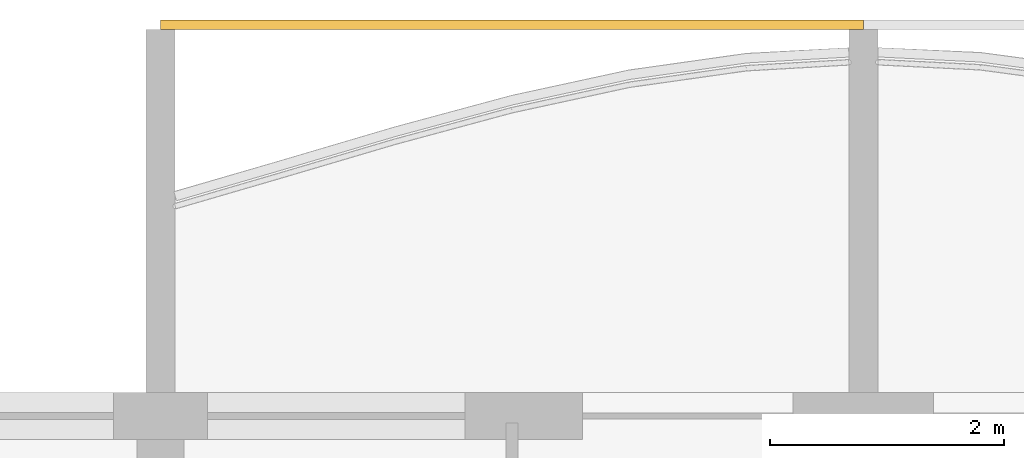
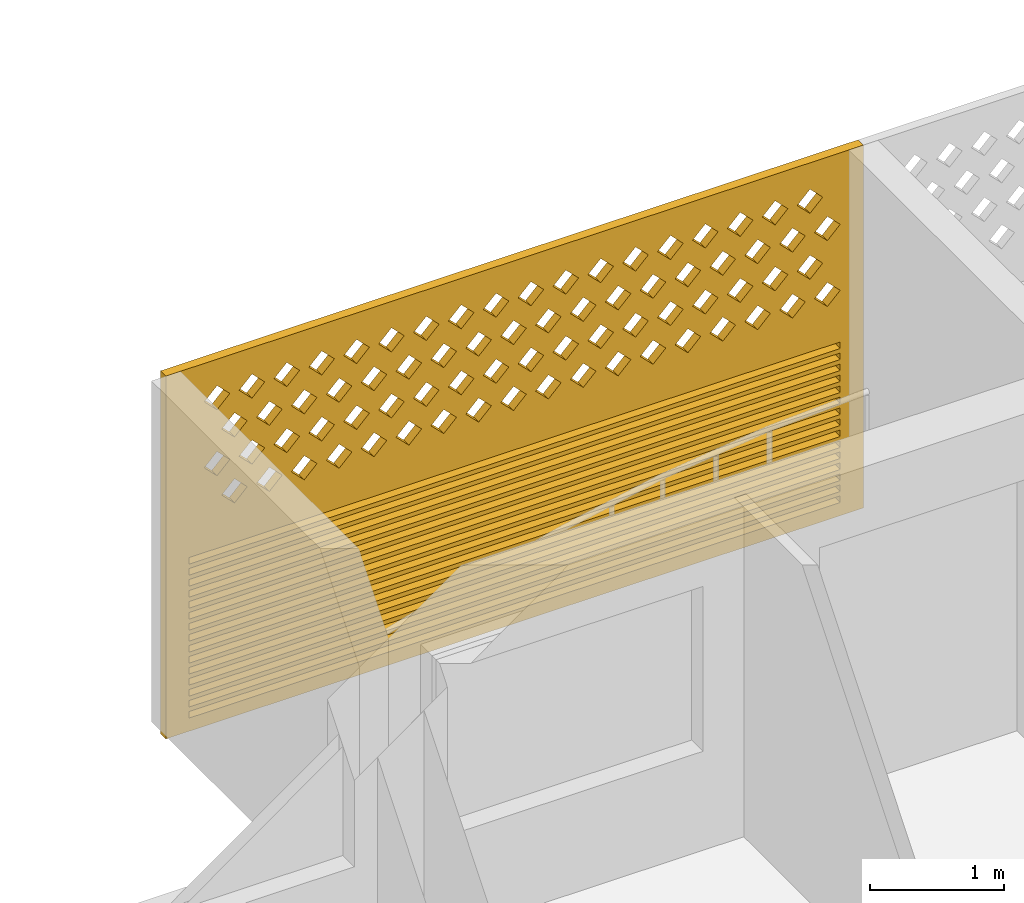
# One storey, part 32 of 38: 1 covering.
"""IFC4 building model written with IfcOpenShell, lengths in metres."""

import ifcopenshell
import ifcopenshell.guid

model = None  # the IFC model being written
_history = None  # IfcOwnerHistory: only IFC2X3 demands one
_inside = {}  # id of a spatial element -> (the spatial element, [elements in it])
_under = {}  # id of a project, library or spatial element -> (it, [spatial elements below it])
_declared = {}  # id of a project -> (the project, [libraries it declares])
_typed = {}  # id of a type object -> (the type object, [elements of that type])
_made_of = {}  # id of a material, layer set ... -> (it, [elements and type objects made of it])


def new_model(schema):
    """Start an empty IFC model of exactly this schema.

    Asked for "IFC4X3", IfcOpenShell would pick the latest addendum, in which some entities
    have other attributes; the version numbers below select the first issue.
    IFC2X3 requires an IfcOwnerHistory on every rooted entity: one is made here for all.
    """
    global model, _history
    if schema == "IFC4X3":
        model = ifcopenshell.file(schema_version=(4, 3, 0, 0))
    else:
        model = ifcopenshell.file(schema=schema)
    _inside.clear()
    _under.clear()
    _declared.clear()
    _typed.clear()
    _made_of.clear()
    _history = None
    if model.schema == "IFC2X3":
        org = make("IfcOrganization", Name="unknown")
        user = make(
            "IfcPersonAndOrganization",
            ThePerson=make("IfcPerson", FamilyName="unknown"),
            TheOrganization=org,
        )
        app = make(
            "IfcApplication",
            ApplicationDeveloper=org,
            Version="unknown",
            ApplicationFullName="unknown",
            ApplicationIdentifier="unknown",
        )
        _history = make(
            "IfcOwnerHistory",
            OwningUser=user,
            OwningApplication=app,
            ChangeAction="ADDED",
            CreationDate=0,
        )
    return model


def make(cls, **values):
    """One entity of the class cls with the attributes given. An attribute that is None is left unset."""
    return model.create_entity(
        cls, **{name: value for name, value in values.items() if value is not None}
    )


def rooted(cls, **values):
    """An entity with a GlobalId (a new one), such as an element, a storey or a relation."""
    return make(cls, GlobalId=ifcopenshell.guid.new(), OwnerHistory=_history, **values)


def si_unit(unit_type, name, prefix=None):
    """IfcSIUnit, for example si_unit("LENGTHUNIT", "METRE", prefix="MILLI")."""
    return make("IfcSIUnit", UnitType=unit_type, Prefix=prefix, Name=name)


def assignment(units):
    """IfcUnitAssignment: the units of a project."""
    return None if units is None else make("IfcUnitAssignment", Units=units)


def point(xyz):
    """IfcCartesianPoint."""
    return None if xyz is None else make("IfcCartesianPoint", Coordinates=xyz)


def direction(xyz):
    """IfcDirection."""
    return None if xyz is None else make("IfcDirection", DirectionRatios=xyz)


def frame(location, z_axis=None, x_axis=None):
    """IfcAxis2Placement3D, a coordinate frame: its origin and axes. An axis left out is left unset."""
    return make(
        "IfcAxis2Placement3D",
        Location=point(location),
        Axis=direction(z_axis),
        RefDirection=direction(x_axis),
    )


def origin():
    """The frame at (0, 0, 0) with its axes left unset."""
    return frame((0.0, 0.0, 0.0))


def place(relative_to, where):
    """IfcLocalPlacement: puts the frame where relative to a parent placement (None: the world)."""
    return make(
        "IfcLocalPlacement", PlacementRelTo=relative_to, RelativePlacement=where
    )


def context(
    kind, dimensions, precision=None, world=None, true_north=None, identifier=None
):
    """IfcGeometricRepresentationContext, for example the 3D "Model" context."""
    return make(
        "IfcGeometricRepresentationContext",
        ContextIdentifier=identifier,
        ContextType=kind,
        CoordinateSpaceDimension=dimensions,
        Precision=precision,
        WorldCoordinateSystem=world,
        TrueNorth=true_north,
    )


def subcontext(parent, identifier, kind, view, scale=None):
    """IfcGeometricRepresentationSubContext, for example "Body" below "Model"."""
    return make(
        "IfcGeometricRepresentationSubContext",
        ContextIdentifier=identifier,
        ContextType=kind,
        ParentContext=parent,
        TargetScale=scale,
        TargetView=view,
    )


def project(units=None, contexts=None):
    """IfcProject with its units and contexts."""
    return rooted(
        "IfcProject",
        Name="project",
        RepresentationContexts=contexts,
        UnitsInContext=assignment(units),
    )


def spatial(cls, under=None, at=None, **own):
    """A site, building, storey or space (cls), placed at a placement, below another one or the project."""
    s = rooted(cls, ObjectPlacement=at, **own)
    if under is not None:
        _under.setdefault(under.id(), (under, []))[1].append(s)
    return s


def polyline(points):
    """IfcPolyline through the points."""
    return make("IfcPolyline", Points=[point(p) for p in points])


def outline(outer, holes=None, kind="AREA"):
    """IfcArbitraryClosedProfileDef: a profile drawn as a closed curve; with holes, ...WithVoids."""
    if holes is None:
        return make("IfcArbitraryClosedProfileDef", ProfileType=kind, OuterCurve=outer)
    return make(
        "IfcArbitraryProfileDefWithVoids",
        ProfileType=kind,
        OuterCurve=outer,
        InnerCurves=holes,
    )


def extrude(swept, where, along, depth):
    """IfcExtrudedAreaSolid: the profile swept, set in the frame where, extruded along a direction by depth."""
    return make(
        "IfcExtrudedAreaSolid",
        SweptArea=swept,
        Position=where,
        ExtrudedDirection=direction(along),
        Depth=depth,
    )


def shape(context_of_items, identifier, shape_type, items):
    """IfcShapeRepresentation: the items that make up one representation, for example the "Body"."""
    return make(
        "IfcShapeRepresentation",
        ContextOfItems=context_of_items,
        RepresentationIdentifier=identifier,
        RepresentationType=shape_type,
        Items=items,
    )


def source(mapping_origin, context_of_items, identifier, shape_type, items):
    """IfcRepresentationMap: a shape defined once, which mapped items show again and again."""
    return make(
        "IfcRepresentationMap",
        MappingOrigin=mapping_origin,
        MappedRepresentation=shape(context_of_items, identifier, shape_type, items),
    )


def transform(
    local_origin,
    x_axis=None,
    y_axis=None,
    z_axis=None,
    scale=None,
    scale2=None,
    scale3=None,
    uniform=True,
):
    """IfcCartesianTransformationOperator3D, or its non-uniform kind. x_axis, y_axis, z_axis: its Axis1, 2, 3."""
    if uniform:
        return make(
            "IfcCartesianTransformationOperator3D",
            Axis1=direction(x_axis),
            Axis2=direction(y_axis),
            LocalOrigin=point(local_origin),
            Scale=scale,
            Axis3=direction(z_axis),
        )
    return make(
        "IfcCartesianTransformationOperator3DnonUniform",
        Axis1=direction(x_axis),
        Axis2=direction(y_axis),
        LocalOrigin=point(local_origin),
        Scale=scale,
        Axis3=direction(z_axis),
        Scale2=scale2,
        Scale3=scale3,
    )


def mapped(mapping_source, mapping_target):
    """IfcMappedItem: shows the shape of a source again, moved by a transform."""
    return make(
        "IfcMappedItem", MappingSource=mapping_source, MappingTarget=mapping_target
    )


def material(Name=None, Category=None):
    """IfcMaterial."""
    return make("IfcMaterial", Name=Name, Category=Category)


def material_profile(
    of_material, cross_section, Name=None, Category=None, Priority=None
):
    """IfcMaterialProfile: a cross section and its material."""
    return make(
        "IfcMaterialProfile",
        Name=Name,
        Material=of_material,
        Profile=cross_section,
        Priority=Priority,
        Category=Category,
    )


def profile_set(profiles, Name=None, composite=None):
    """IfcMaterialProfileSet."""
    return make(
        "IfcMaterialProfileSet",
        Name=Name,
        MaterialProfiles=profiles,
        CompositeProfile=composite,
    )


def made_of(thing, what):
    """Note that an element or type object is made of a material, layer set ...; save() writes the relation."""
    if what is not None:
        _made_of.setdefault(what.id(), (what, []))[1].append(thing)
    return thing


def type_object(cls, material=None, **own):
    """A type object (cls), such as IfcWallType, which elements share."""
    return made_of(rooted(cls, **own), material)


def element(
    cls,
    number,
    at=None,
    inside=None,
    cuts=None,
    type_object=None,
    material=None,
    context=None,
    identifier="Body",
    shape_type=None,
    held_by="IfcProductDefinitionShape",
    body=None,
    shapes=None,
    **own,
):
    """One element of the class cls, such as IfcWall. Its Tag is "e" and its number.

    at: its placement. inside: the storey or other place that contains it. cuts: it is an
    opening in that element (IfcRelVoidsElement). A single representation is given by context,
    identifier, shape_type and body (its items); several are given by shapes. held_by: the class
    of the entity that holds the representations. save() writes the other relations.
    """
    e = rooted(cls, Tag="e%d" % number, ObjectPlacement=at, **own)
    if body is not None:
        shapes = [shape(context, identifier, shape_type, body)]
    if shapes is not None:
        e.Representation = make(held_by, Representations=shapes)
    if inside is not None:
        _inside.setdefault(inside.id(), (inside, []))[1].append(e)
    if cuts is not None:
        rooted(
            "IfcRelVoidsElement", RelatingBuildingElement=cuts, RelatedOpeningElement=e
        )
    if type_object is not None:
        _typed.setdefault(type_object.id(), (type_object, []))[1].append(e)
    return made_of(e, material)


def aggregate(whole, parts):
    """IfcRelAggregates: a whole, such as a stair, and the parts it consists of."""
    return rooted("IfcRelAggregates", RelatingObject=whole, RelatedObjects=parts)


def save(model, path):
    """Write the relations noted so far, then the file.

    IfcRelAggregates (storeys below a building ...), IfcRelContainedInSpatialStructure (elements
    in a storey), IfcRelDefinesByType, IfcRelAssociatesMaterial and IfcRelDeclares: one each for
    every whole, place, type object, material and project.
    """
    for whole, parts in _under.values():
        aggregate(whole, parts)
    for where, things in _inside.values():
        rooted(
            "IfcRelContainedInSpatialStructure",
            RelatedElements=things,
            RelatingStructure=where,
        )
    for kind, things in _typed.values():
        rooted("IfcRelDefinesByType", RelatedObjects=things, RelatingType=kind)
    for what, things in _made_of.values():
        rooted("IfcRelAssociatesMaterial", RelatedObjects=things, RelatingMaterial=what)
    for by, libraries in _declared.values():
        rooted("IfcRelDeclares", RelatingContext=by, RelatedDefinitions=libraries)
    model.write(path)


model = new_model("IFC4")

# Units and contexts
model_context = context("Model", 3, precision=1e-05, world=origin(), true_north=direction((0.0, 1.0)))
body_context = subcontext(model_context, "Body", "Model", "MODEL_VIEW")
ifc_project = project(units=[si_unit("LENGTHUNIT", "METRE"), si_unit("AREAUNIT", "SQUARE_METRE"), si_unit("VOLUMEUNIT", "CUBIC_METRE"), si_unit("PLANEANGLEUNIT", "RADIAN"), si_unit("MASSUNIT", "GRAM", prefix="KILO")], contexts=[model_context])

# Site, building, storey
site_placement = place(None, origin())
site = spatial("IfcSite", under=ifc_project, at=site_placement, CompositionType="ELEMENT")
building_placement = place(site_placement, origin())
building = spatial("IfcBuilding", under=site, at=building_placement, Name="Poui Terraces", CompositionType="ELEMENT")
storey_placement = place(building_placement, frame((0.0, 0.0, 49.800048828125)))
storey = spatial("IfcBuildingStorey", under=building, at=storey_placement, Name="L13", CompositionType="ELEMENT", Elevation=49.800048828125)

# Covering
ifc_material = material(Name="Terracotta screen", Category="masonry")
ifc_material_profile = material_profile(ifc_material, outline(polyline([(-3.0, -1.64990234375), (3.0, -1.64990234375), (3.0, 1.64990234375), (-3.0, 1.64990234375), (-3.0, -1.64990234375)]), holes=[polyline([(-2.800048828125, 0.39990234375), (-2.68994140625, 0.2900390625), (-2.580078125, 0.39990234375), (-2.68994140625, 0.510009765625), (-2.800048828125, 0.39990234375)]), polyline([(-2.5, 0.39990234375), (-2.389892578125, 0.2900390625), (-2.280029296875, 0.39990234375), (-2.389892578125, 0.510009765625), (-2.5, 0.39990234375)]), polyline([(-2.199951171875, 0.39990234375), (-2.090087890625, 0.2900390625), (-1.97998046875, 0.39990234375), (-2.090087890625, 0.510009765625), (-2.199951171875, 0.39990234375)]), polyline([(-1.89990234375, 0.39990234375), (-1.7900390625, 0.2900390625), (-1.679931640625, 0.39990234375), (-1.7900390625, 0.510009765625), (-1.89990234375, 0.39990234375)]), polyline([(-1.60009765625, 0.39990234375), (-1.489990234375, 0.2900390625), (-1.3798828125, 0.39990234375), (-1.489990234375, 0.510009765625), (-1.60009765625, 0.39990234375)]), polyline([(-1.300048828125, 0.39990234375), (-1.18994140625, 0.2900390625), (-1.080078125, 0.39990234375), (-1.18994140625, 0.510009765625), (-1.300048828125, 0.39990234375)]), polyline([(-1.0, 0.39990234375), (-0.889892578125, 0.2900390625), (-0.780029296875, 0.39990234375), (-0.889892578125, 0.510009765625), (-1.0, 0.39990234375)]), polyline([(-0.699951171875, 0.39990234375), (-0.590087890625, 0.2900390625), (-0.47998046875, 0.39990234375), (-0.590087890625, 0.510009765625), (-0.699951171875, 0.39990234375)]), polyline([(-0.39990234375, 0.39990234375), (-0.2900390625, 0.2900390625), (-0.179931640625, 0.39990234375), (-0.2900390625, 0.510009765625), (-0.39990234375, 0.39990234375)]), polyline([(-0.10009765625, 0.39990234375), (0.010009765625, 0.2900390625), (0.1201171875, 0.39990234375), (0.010009765625, 0.510009765625), (-0.10009765625, 0.39990234375)]), polyline([(0.199951171875, 0.39990234375), (0.31005859375, 0.2900390625), (0.419921875, 0.39990234375), (0.31005859375, 0.510009765625), (0.199951171875, 0.39990234375)]), polyline([(0.5, 0.39990234375), (0.610107421875, 0.2900390625), (0.719970703125, 0.39990234375), (0.610107421875, 0.510009765625), (0.5, 0.39990234375)]), polyline([(0.800048828125, 0.39990234375), (0.909912109375, 0.2900390625), (1.02001953125, 0.39990234375), (0.909912109375, 0.510009765625), (0.800048828125, 0.39990234375)]), polyline([(1.10009765625, 0.39990234375), (1.2099609375, 0.2900390625), (1.320068359375, 0.39990234375), (1.2099609375, 0.510009765625), (1.10009765625, 0.39990234375)]), polyline([(1.39990234375, 0.39990234375), (1.510009765625, 0.2900390625), (1.6201171875, 0.39990234375), (1.510009765625, 0.510009765625), (1.39990234375, 0.39990234375)]), polyline([(1.699951171875, 0.39990234375), (1.81005859375, 0.2900390625), (1.919921875, 0.39990234375), (1.81005859375, 0.510009765625), (1.699951171875, 0.39990234375)]), polyline([(2.0, 0.39990234375), (2.110107421875, 0.2900390625), (2.219970703125, 0.39990234375), (2.110107421875, 0.510009765625), (2.0, 0.39990234375)]), polyline([(2.300048828125, 0.39990234375), (2.409912109375, 0.2900390625), (2.52001953125, 0.39990234375), (2.409912109375, 0.510009765625), (2.300048828125, 0.39990234375)]), polyline([(-2.64990234375, 0.699951171875), (-2.5400390625, 0.590087890625), (-2.429931640625, 0.699951171875), (-2.5400390625, 0.81005859375), (-2.64990234375, 0.699951171875)]), polyline([(-2.35009765625, 0.699951171875), (-2.239990234375, 0.590087890625), (-2.1298828125, 0.699951171875), (-2.239990234375, 0.81005859375), (-2.35009765625, 0.699951171875)]), polyline([(-2.050048828125, 0.699951171875), (-1.93994140625, 0.590087890625), (-1.830078125, 0.699951171875), (-1.93994140625, 0.81005859375), (-2.050048828125, 0.699951171875)]), polyline([(-1.75, 0.699951171875), (-1.639892578125, 0.590087890625), (-1.530029296875, 0.699951171875), (-1.639892578125, 0.81005859375), (-1.75, 0.699951171875)]), polyline([(-1.449951171875, 0.699951171875), (-1.340087890625, 0.590087890625), (-1.22998046875, 0.699951171875), (-1.340087890625, 0.81005859375), (-1.449951171875, 0.699951171875)]), polyline([(-1.14990234375, 0.699951171875), (-1.0400390625, 0.590087890625), (-0.929931640625, 0.699951171875), (-1.0400390625, 0.81005859375), (-1.14990234375, 0.699951171875)]), polyline([(-0.85009765625, 0.699951171875), (-0.739990234375, 0.590087890625), (-0.6298828125, 0.699951171875), (-0.739990234375, 0.81005859375), (-0.85009765625, 0.699951171875)]), polyline([(-0.550048828125, 0.699951171875), (-0.43994140625, 0.590087890625), (-0.330078125, 0.699951171875), (-0.43994140625, 0.81005859375), (-0.550048828125, 0.699951171875)]), polyline([(-0.25, 0.699951171875), (-0.139892578125, 0.590087890625), (-0.030029296875, 0.699951171875), (-0.139892578125, 0.81005859375), (-0.25, 0.699951171875)]), polyline([(0.050048828125, 0.699951171875), (0.159912109375, 0.590087890625), (0.27001953125, 0.699951171875), (0.159912109375, 0.81005859375), (0.050048828125, 0.699951171875)]), polyline([(0.35009765625, 0.699951171875), (0.4599609375, 0.590087890625), (0.570068359375, 0.699951171875), (0.4599609375, 0.81005859375), (0.35009765625, 0.699951171875)]), polyline([(0.64990234375, 0.699951171875), (0.760009765625, 0.590087890625), (0.8701171875, 0.699951171875), (0.760009765625, 0.81005859375), (0.64990234375, 0.699951171875)]), polyline([(0.949951171875, 0.699951171875), (1.06005859375, 0.590087890625), (1.169921875, 0.699951171875), (1.06005859375, 0.81005859375), (0.949951171875, 0.699951171875)]), polyline([(1.25, 0.699951171875), (1.360107421875, 0.590087890625), (1.469970703125, 0.699951171875), (1.360107421875, 0.81005859375), (1.25, 0.699951171875)]), polyline([(1.550048828125, 0.699951171875), (1.659912109375, 0.590087890625), (1.77001953125, 0.699951171875), (1.659912109375, 0.81005859375), (1.550048828125, 0.699951171875)]), polyline([(1.85009765625, 0.699951171875), (1.9599609375, 0.590087890625), (2.070068359375, 0.699951171875), (1.9599609375, 0.81005859375), (1.85009765625, 0.699951171875)]), polyline([(2.14990234375, 0.699951171875), (2.260009765625, 0.590087890625), (2.3701171875, 0.699951171875), (2.260009765625, 0.81005859375), (2.14990234375, 0.699951171875)]), polyline([(2.449951171875, 0.699951171875), (2.56005859375, 0.590087890625), (2.669921875, 0.699951171875), (2.56005859375, 0.81005859375), (2.449951171875, 0.699951171875)]), polyline([(-2.800048828125, 1.0), (-2.68994140625, 0.889892578125), (-2.580078125, 1.0), (-2.68994140625, 1.110107421875), (-2.800048828125, 1.0)]), polyline([(-2.5, 1.0), (-2.389892578125, 0.889892578125), (-2.280029296875, 1.0), (-2.389892578125, 1.110107421875), (-2.5, 1.0)]), polyline([(-2.199951171875, 1.0), (-2.090087890625, 0.889892578125), (-1.97998046875, 1.0), (-2.090087890625, 1.110107421875), (-2.199951171875, 1.0)]), polyline([(-1.89990234375, 1.0), (-1.7900390625, 0.889892578125), (-1.679931640625, 1.0), (-1.7900390625, 1.110107421875), (-1.89990234375, 1.0)]), polyline([(-1.60009765625, 1.0), (-1.489990234375, 0.889892578125), (-1.3798828125, 1.0), (-1.489990234375, 1.110107421875), (-1.60009765625, 1.0)]), polyline([(-1.300048828125, 1.0), (-1.18994140625, 0.889892578125), (-1.080078125, 1.0), (-1.18994140625, 1.110107421875), (-1.300048828125, 1.0)]), polyline([(-1.0, 1.0), (-0.889892578125, 0.889892578125), (-0.780029296875, 1.0), (-0.889892578125, 1.110107421875), (-1.0, 1.0)]), polyline([(-0.699951171875, 1.0), (-0.590087890625, 0.889892578125), (-0.47998046875, 1.0), (-0.590087890625, 1.110107421875), (-0.699951171875, 1.0)]), polyline([(-0.39990234375, 1.0), (-0.2900390625, 0.889892578125), (-0.179931640625, 1.0), (-0.2900390625, 1.110107421875), (-0.39990234375, 1.0)]), polyline([(-0.10009765625, 1.0), (0.010009765625, 0.889892578125), (0.1201171875, 1.0), (0.010009765625, 1.110107421875), (-0.10009765625, 1.0)]), polyline([(0.199951171875, 1.0), (0.31005859375, 0.889892578125), (0.419921875, 1.0), (0.31005859375, 1.110107421875), (0.199951171875, 1.0)]), polyline([(0.5, 1.0), (0.610107421875, 0.889892578125), (0.719970703125, 1.0), (0.610107421875, 1.110107421875), (0.5, 1.0)]), polyline([(0.800048828125, 1.0), (0.909912109375, 0.889892578125), (1.02001953125, 1.0), (0.909912109375, 1.110107421875), (0.800048828125, 1.0)]), polyline([(1.10009765625, 1.0), (1.2099609375, 0.889892578125), (1.320068359375, 1.0), (1.2099609375, 1.110107421875), (1.10009765625, 1.0)]), polyline([(1.39990234375, 1.0), (1.510009765625, 0.889892578125), (1.6201171875, 1.0), (1.510009765625, 1.110107421875), (1.39990234375, 1.0)]), polyline([(1.699951171875, 1.0), (1.81005859375, 0.889892578125), (1.919921875, 1.0), (1.81005859375, 1.110107421875), (1.699951171875, 1.0)]), polyline([(2.0, 1.0), (2.110107421875, 0.889892578125), (2.219970703125, 1.0), (2.110107421875, 1.110107421875), (2.0, 1.0)]), polyline([(2.300048828125, 1.0), (2.409912109375, 0.889892578125), (2.52001953125, 1.0), (2.409912109375, 1.110107421875), (2.300048828125, 1.0)]), polyline([(-2.64990234375, 1.300048828125), (-2.5400390625, 1.18994140625), (-2.429931640625, 1.300048828125), (-2.5400390625, 1.409912109375), (-2.64990234375, 1.300048828125)]), polyline([(-2.35009765625, 1.300048828125), (-2.239990234375, 1.18994140625), (-2.1298828125, 1.300048828125), (-2.239990234375, 1.409912109375), (-2.35009765625, 1.300048828125)]), polyline([(-2.050048828125, 1.300048828125), (-1.93994140625, 1.18994140625), (-1.830078125, 1.300048828125), (-1.93994140625, 1.409912109375), (-2.050048828125, 1.300048828125)]), polyline([(-1.75, 1.300048828125), (-1.639892578125, 1.18994140625), (-1.530029296875, 1.300048828125), (-1.639892578125, 1.409912109375), (-1.75, 1.300048828125)]), polyline([(-1.449951171875, 1.300048828125), (-1.340087890625, 1.18994140625), (-1.22998046875, 1.300048828125), (-1.340087890625, 1.409912109375), (-1.449951171875, 1.300048828125)]), polyline([(-1.14990234375, 1.300048828125), (-1.0400390625, 1.18994140625), (-0.929931640625, 1.300048828125), (-1.0400390625, 1.409912109375), (-1.14990234375, 1.300048828125)]), polyline([(-0.85009765625, 1.300048828125), (-0.739990234375, 1.18994140625), (-0.6298828125, 1.300048828125), (-0.739990234375, 1.409912109375), (-0.85009765625, 1.300048828125)]), polyline([(-0.550048828125, 1.300048828125), (-0.43994140625, 1.18994140625), (-0.330078125, 1.300048828125), (-0.43994140625, 1.409912109375), (-0.550048828125, 1.300048828125)]), polyline([(-0.25, 1.300048828125), (-0.139892578125, 1.18994140625), (-0.030029296875, 1.300048828125), (-0.139892578125, 1.409912109375), (-0.25, 1.300048828125)]), polyline([(0.050048828125, 1.300048828125), (0.159912109375, 1.18994140625), (0.27001953125, 1.300048828125), (0.159912109375, 1.409912109375), (0.050048828125, 1.300048828125)]), polyline([(0.35009765625, 1.300048828125), (0.4599609375, 1.18994140625), (0.570068359375, 1.300048828125), (0.4599609375, 1.409912109375), (0.35009765625, 1.300048828125)]), polyline([(0.64990234375, 1.300048828125), (0.760009765625, 1.18994140625), (0.8701171875, 1.300048828125), (0.760009765625, 1.409912109375), (0.64990234375, 1.300048828125)]), polyline([(0.949951171875, 1.300048828125), (1.06005859375, 1.18994140625), (1.169921875, 1.300048828125), (1.06005859375, 1.409912109375), (0.949951171875, 1.300048828125)]), polyline([(1.25, 1.300048828125), (1.360107421875, 1.18994140625), (1.469970703125, 1.300048828125), (1.360107421875, 1.409912109375), (1.25, 1.300048828125)]), polyline([(1.550048828125, 1.300048828125), (1.659912109375, 1.18994140625), (1.77001953125, 1.300048828125), (1.659912109375, 1.409912109375), (1.550048828125, 1.300048828125)]), polyline([(1.85009765625, 1.300048828125), (1.9599609375, 1.18994140625), (2.070068359375, 1.300048828125), (1.9599609375, 1.409912109375), (1.85009765625, 1.300048828125)]), polyline([(2.14990234375, 1.300048828125), (2.260009765625, 1.18994140625), (2.3701171875, 1.300048828125), (2.260009765625, 1.409912109375), (2.14990234375, 1.300048828125)]), polyline([(2.449951171875, 1.300048828125), (2.56005859375, 1.18994140625), (2.669921875, 1.300048828125), (2.56005859375, 1.409912109375), (2.449951171875, 1.300048828125)]), polyline([(-2.800048828125, -1.530029296875), (2.800048828125, -1.530029296875), (2.800048828125, -1.469970703125), (-2.800048828125, -1.469970703125), (-2.800048828125, -1.530029296875)]), polyline([(-2.800048828125, -1.429931640625), (2.800048828125, -1.429931640625), (2.800048828125, -1.3701171875), (-2.800048828125, -1.3701171875), (-2.800048828125, -1.429931640625)]), polyline([(-2.800048828125, -1.330078125), (2.800048828125, -1.330078125), (2.800048828125, -1.27001953125), (-2.800048828125, -1.27001953125), (-2.800048828125, -1.330078125)]), polyline([(-2.800048828125, -1.22998046875), (2.800048828125, -1.22998046875), (2.800048828125, -1.169921875), (-2.800048828125, -1.169921875), (-2.800048828125, -1.22998046875)]), polyline([(-2.800048828125, -1.1298828125), (2.800048828125, -1.1298828125), (2.800048828125, -1.070068359375), (-2.800048828125, -1.070068359375), (-2.800048828125, -1.1298828125)]), polyline([(-2.800048828125, -1.030029296875), (2.800048828125, -1.030029296875), (2.800048828125, -0.969970703125), (-2.800048828125, -0.969970703125), (-2.800048828125, -1.030029296875)]), polyline([(-2.800048828125, -0.929931640625), (2.800048828125, -0.929931640625), (2.800048828125, -0.8701171875), (-2.800048828125, -0.8701171875), (-2.800048828125, -0.929931640625)]), polyline([(-2.800048828125, -0.830078125), (2.800048828125, -0.830078125), (2.800048828125, -0.77001953125), (-2.800048828125, -0.77001953125), (-2.800048828125, -0.830078125)]), polyline([(-2.800048828125, -0.72998046875), (2.800048828125, -0.72998046875), (2.800048828125, -0.669921875), (-2.800048828125, -0.669921875), (-2.800048828125, -0.72998046875)]), polyline([(-2.800048828125, -0.6298828125), (2.800048828125, -0.6298828125), (2.800048828125, -0.570068359375), (-2.800048828125, -0.570068359375), (-2.800048828125, -0.6298828125)]), polyline([(-2.800048828125, -0.530029296875), (2.800048828125, -0.530029296875), (2.800048828125, -0.469970703125), (-2.800048828125, -0.469970703125), (-2.800048828125, -0.530029296875)]), polyline([(-2.800048828125, -0.429931640625), (2.800048828125, -0.429931640625), (2.800048828125, -0.3701171875), (-2.800048828125, -0.3701171875), (-2.800048828125, -0.429931640625)]), polyline([(-2.800048828125, -0.330078125), (2.800048828125, -0.330078125), (2.800048828125, -0.27001953125), (-2.800048828125, -0.27001953125), (-2.800048828125, -0.330078125)]), polyline([(-2.800048828125, -0.22998046875), (2.800048828125, -0.22998046875), (2.800048828125, -0.169921875), (-2.800048828125, -0.169921875), (-2.800048828125, -0.22998046875)]), polyline([(-2.800048828125, -0.1298828125), (2.800048828125, -0.1298828125), (2.800048828125, -0.070068359375), (-2.800048828125, -0.070068359375), (-2.800048828125, -0.1298828125)])]), Name="TERRACOTTA SCREEN AND JALOUSIE LOUVRE 6000X3300")
ifc_profile_set = profile_set([ifc_material_profile], Name="Terracotta screen")
covering_type = type_object("IfcCoveringType", Name="TERRACOTTA SCREEN AND JALOUSIE LOUVRE 6000X3300", PredefinedType="CLADDING", material=ifc_profile_set)
shared_shape = source(origin(), body_context, "Body", "SweptSolid", [
    extrude(outline(polyline([(-3.0, -1.64990234375), (3.0, -1.64990234375), (3.0, 1.64990234375), (-3.0, 1.64990234375), (-3.0, -1.64990234375)]), holes=[polyline([(-2.800048828125, 0.39990234375), (-2.68994140625, 0.2900390625), (-2.580078125, 0.39990234375), (-2.68994140625, 0.510009765625), (-2.800048828125, 0.39990234375)]), polyline([(-2.5, 0.39990234375), (-2.389892578125, 0.2900390625), (-2.280029296875, 0.39990234375), (-2.389892578125, 0.510009765625), (-2.5, 0.39990234375)]), polyline([(-2.199951171875, 0.39990234375), (-2.090087890625, 0.2900390625), (-1.97998046875, 0.39990234375), (-2.090087890625, 0.510009765625), (-2.199951171875, 0.39990234375)]), polyline([(-1.89990234375, 0.39990234375), (-1.7900390625, 0.2900390625), (-1.679931640625, 0.39990234375), (-1.7900390625, 0.510009765625), (-1.89990234375, 0.39990234375)]), polyline([(-1.60009765625, 0.39990234375), (-1.489990234375, 0.2900390625), (-1.3798828125, 0.39990234375), (-1.489990234375, 0.510009765625), (-1.60009765625, 0.39990234375)]), polyline([(-1.300048828125, 0.39990234375), (-1.18994140625, 0.2900390625), (-1.080078125, 0.39990234375), (-1.18994140625, 0.510009765625), (-1.300048828125, 0.39990234375)]), polyline([(-1.0, 0.39990234375), (-0.889892578125, 0.2900390625), (-0.780029296875, 0.39990234375), (-0.889892578125, 0.510009765625), (-1.0, 0.39990234375)]), polyline([(-0.699951171875, 0.39990234375), (-0.590087890625, 0.2900390625), (-0.47998046875, 0.39990234375), (-0.590087890625, 0.510009765625), (-0.699951171875, 0.39990234375)]), polyline([(-0.39990234375, 0.39990234375), (-0.2900390625, 0.2900390625), (-0.179931640625, 0.39990234375), (-0.2900390625, 0.510009765625), (-0.39990234375, 0.39990234375)]), polyline([(-0.10009765625, 0.39990234375), (0.010009765625, 0.2900390625), (0.1201171875, 0.39990234375), (0.010009765625, 0.510009765625), (-0.10009765625, 0.39990234375)]), polyline([(0.199951171875, 0.39990234375), (0.31005859375, 0.2900390625), (0.419921875, 0.39990234375), (0.31005859375, 0.510009765625), (0.199951171875, 0.39990234375)]), polyline([(0.5, 0.39990234375), (0.610107421875, 0.2900390625), (0.719970703125, 0.39990234375), (0.610107421875, 0.510009765625), (0.5, 0.39990234375)]), polyline([(0.800048828125, 0.39990234375), (0.909912109375, 0.2900390625), (1.02001953125, 0.39990234375), (0.909912109375, 0.510009765625), (0.800048828125, 0.39990234375)]), polyline([(1.10009765625, 0.39990234375), (1.2099609375, 0.2900390625), (1.320068359375, 0.39990234375), (1.2099609375, 0.510009765625), (1.10009765625, 0.39990234375)]), polyline([(1.39990234375, 0.39990234375), (1.510009765625, 0.2900390625), (1.6201171875, 0.39990234375), (1.510009765625, 0.510009765625), (1.39990234375, 0.39990234375)]), polyline([(1.699951171875, 0.39990234375), (1.81005859375, 0.2900390625), (1.919921875, 0.39990234375), (1.81005859375, 0.510009765625), (1.699951171875, 0.39990234375)]), polyline([(2.0, 0.39990234375), (2.110107421875, 0.2900390625), (2.219970703125, 0.39990234375), (2.110107421875, 0.510009765625), (2.0, 0.39990234375)]), polyline([(2.300048828125, 0.39990234375), (2.409912109375, 0.2900390625), (2.52001953125, 0.39990234375), (2.409912109375, 0.510009765625), (2.300048828125, 0.39990234375)]), polyline([(-2.64990234375, 0.699951171875), (-2.5400390625, 0.590087890625), (-2.429931640625, 0.699951171875), (-2.5400390625, 0.81005859375), (-2.64990234375, 0.699951171875)]), polyline([(-2.35009765625, 0.699951171875), (-2.239990234375, 0.590087890625), (-2.1298828125, 0.699951171875), (-2.239990234375, 0.81005859375), (-2.35009765625, 0.699951171875)]), polyline([(-2.050048828125, 0.699951171875), (-1.93994140625, 0.590087890625), (-1.830078125, 0.699951171875), (-1.93994140625, 0.81005859375), (-2.050048828125, 0.699951171875)]), polyline([(-1.75, 0.699951171875), (-1.639892578125, 0.590087890625), (-1.530029296875, 0.699951171875), (-1.639892578125, 0.81005859375), (-1.75, 0.699951171875)]), polyline([(-1.449951171875, 0.699951171875), (-1.340087890625, 0.590087890625), (-1.22998046875, 0.699951171875), (-1.340087890625, 0.81005859375), (-1.449951171875, 0.699951171875)]), polyline([(-1.14990234375, 0.699951171875), (-1.0400390625, 0.590087890625), (-0.929931640625, 0.699951171875), (-1.0400390625, 0.81005859375), (-1.14990234375, 0.699951171875)]), polyline([(-0.85009765625, 0.699951171875), (-0.739990234375, 0.590087890625), (-0.6298828125, 0.699951171875), (-0.739990234375, 0.81005859375), (-0.85009765625, 0.699951171875)]), polyline([(-0.550048828125, 0.699951171875), (-0.43994140625, 0.590087890625), (-0.330078125, 0.699951171875), (-0.43994140625, 0.81005859375), (-0.550048828125, 0.699951171875)]), polyline([(-0.25, 0.699951171875), (-0.139892578125, 0.590087890625), (-0.030029296875, 0.699951171875), (-0.139892578125, 0.81005859375), (-0.25, 0.699951171875)]), polyline([(0.050048828125, 0.699951171875), (0.159912109375, 0.590087890625), (0.27001953125, 0.699951171875), (0.159912109375, 0.81005859375), (0.050048828125, 0.699951171875)]), polyline([(0.35009765625, 0.699951171875), (0.4599609375, 0.590087890625), (0.570068359375, 0.699951171875), (0.4599609375, 0.81005859375), (0.35009765625, 0.699951171875)]), polyline([(0.64990234375, 0.699951171875), (0.760009765625, 0.590087890625), (0.8701171875, 0.699951171875), (0.760009765625, 0.81005859375), (0.64990234375, 0.699951171875)]), polyline([(0.949951171875, 0.699951171875), (1.06005859375, 0.590087890625), (1.169921875, 0.699951171875), (1.06005859375, 0.81005859375), (0.949951171875, 0.699951171875)]), polyline([(1.25, 0.699951171875), (1.360107421875, 0.590087890625), (1.469970703125, 0.699951171875), (1.360107421875, 0.81005859375), (1.25, 0.699951171875)]), polyline([(1.550048828125, 0.699951171875), (1.659912109375, 0.590087890625), (1.77001953125, 0.699951171875), (1.659912109375, 0.81005859375), (1.550048828125, 0.699951171875)]), polyline([(1.85009765625, 0.699951171875), (1.9599609375, 0.590087890625), (2.070068359375, 0.699951171875), (1.9599609375, 0.81005859375), (1.85009765625, 0.699951171875)]), polyline([(2.14990234375, 0.699951171875), (2.260009765625, 0.590087890625), (2.3701171875, 0.699951171875), (2.260009765625, 0.81005859375), (2.14990234375, 0.699951171875)]), polyline([(2.449951171875, 0.699951171875), (2.56005859375, 0.590087890625), (2.669921875, 0.699951171875), (2.56005859375, 0.81005859375), (2.449951171875, 0.699951171875)]), polyline([(-2.800048828125, 1.0), (-2.68994140625, 0.889892578125), (-2.580078125, 1.0), (-2.68994140625, 1.110107421875), (-2.800048828125, 1.0)]), polyline([(-2.5, 1.0), (-2.389892578125, 0.889892578125), (-2.280029296875, 1.0), (-2.389892578125, 1.110107421875), (-2.5, 1.0)]), polyline([(-2.199951171875, 1.0), (-2.090087890625, 0.889892578125), (-1.97998046875, 1.0), (-2.090087890625, 1.110107421875), (-2.199951171875, 1.0)]), polyline([(-1.89990234375, 1.0), (-1.7900390625, 0.889892578125), (-1.679931640625, 1.0), (-1.7900390625, 1.110107421875), (-1.89990234375, 1.0)]), polyline([(-1.60009765625, 1.0), (-1.489990234375, 0.889892578125), (-1.3798828125, 1.0), (-1.489990234375, 1.110107421875), (-1.60009765625, 1.0)]), polyline([(-1.300048828125, 1.0), (-1.18994140625, 0.889892578125), (-1.080078125, 1.0), (-1.18994140625, 1.110107421875), (-1.300048828125, 1.0)]), polyline([(-1.0, 1.0), (-0.889892578125, 0.889892578125), (-0.780029296875, 1.0), (-0.889892578125, 1.110107421875), (-1.0, 1.0)]), polyline([(-0.699951171875, 1.0), (-0.590087890625, 0.889892578125), (-0.47998046875, 1.0), (-0.590087890625, 1.110107421875), (-0.699951171875, 1.0)]), polyline([(-0.39990234375, 1.0), (-0.2900390625, 0.889892578125), (-0.179931640625, 1.0), (-0.2900390625, 1.110107421875), (-0.39990234375, 1.0)]), polyline([(-0.10009765625, 1.0), (0.010009765625, 0.889892578125), (0.1201171875, 1.0), (0.010009765625, 1.110107421875), (-0.10009765625, 1.0)]), polyline([(0.199951171875, 1.0), (0.31005859375, 0.889892578125), (0.419921875, 1.0), (0.31005859375, 1.110107421875), (0.199951171875, 1.0)]), polyline([(0.5, 1.0), (0.610107421875, 0.889892578125), (0.719970703125, 1.0), (0.610107421875, 1.110107421875), (0.5, 1.0)]), polyline([(0.800048828125, 1.0), (0.909912109375, 0.889892578125), (1.02001953125, 1.0), (0.909912109375, 1.110107421875), (0.800048828125, 1.0)]), polyline([(1.10009765625, 1.0), (1.2099609375, 0.889892578125), (1.320068359375, 1.0), (1.2099609375, 1.110107421875), (1.10009765625, 1.0)]), polyline([(1.39990234375, 1.0), (1.510009765625, 0.889892578125), (1.6201171875, 1.0), (1.510009765625, 1.110107421875), (1.39990234375, 1.0)]), polyline([(1.699951171875, 1.0), (1.81005859375, 0.889892578125), (1.919921875, 1.0), (1.81005859375, 1.110107421875), (1.699951171875, 1.0)]), polyline([(2.0, 1.0), (2.110107421875, 0.889892578125), (2.219970703125, 1.0), (2.110107421875, 1.110107421875), (2.0, 1.0)]), polyline([(2.300048828125, 1.0), (2.409912109375, 0.889892578125), (2.52001953125, 1.0), (2.409912109375, 1.110107421875), (2.300048828125, 1.0)]), polyline([(-2.64990234375, 1.300048828125), (-2.5400390625, 1.18994140625), (-2.429931640625, 1.300048828125), (-2.5400390625, 1.409912109375), (-2.64990234375, 1.300048828125)]), polyline([(-2.35009765625, 1.300048828125), (-2.239990234375, 1.18994140625), (-2.1298828125, 1.300048828125), (-2.239990234375, 1.409912109375), (-2.35009765625, 1.300048828125)]), polyline([(-2.050048828125, 1.300048828125), (-1.93994140625, 1.18994140625), (-1.830078125, 1.300048828125), (-1.93994140625, 1.409912109375), (-2.050048828125, 1.300048828125)]), polyline([(-1.75, 1.300048828125), (-1.639892578125, 1.18994140625), (-1.530029296875, 1.300048828125), (-1.639892578125, 1.409912109375), (-1.75, 1.300048828125)]), polyline([(-1.449951171875, 1.300048828125), (-1.340087890625, 1.18994140625), (-1.22998046875, 1.300048828125), (-1.340087890625, 1.409912109375), (-1.449951171875, 1.300048828125)]), polyline([(-1.14990234375, 1.300048828125), (-1.0400390625, 1.18994140625), (-0.929931640625, 1.300048828125), (-1.0400390625, 1.409912109375), (-1.14990234375, 1.300048828125)]), polyline([(-0.85009765625, 1.300048828125), (-0.739990234375, 1.18994140625), (-0.6298828125, 1.300048828125), (-0.739990234375, 1.409912109375), (-0.85009765625, 1.300048828125)]), polyline([(-0.550048828125, 1.300048828125), (-0.43994140625, 1.18994140625), (-0.330078125, 1.300048828125), (-0.43994140625, 1.409912109375), (-0.550048828125, 1.300048828125)]), polyline([(-0.25, 1.300048828125), (-0.139892578125, 1.18994140625), (-0.030029296875, 1.300048828125), (-0.139892578125, 1.409912109375), (-0.25, 1.300048828125)]), polyline([(0.050048828125, 1.300048828125), (0.159912109375, 1.18994140625), (0.27001953125, 1.300048828125), (0.159912109375, 1.409912109375), (0.050048828125, 1.300048828125)]), polyline([(0.35009765625, 1.300048828125), (0.4599609375, 1.18994140625), (0.570068359375, 1.300048828125), (0.4599609375, 1.409912109375), (0.35009765625, 1.300048828125)]), polyline([(0.64990234375, 1.300048828125), (0.760009765625, 1.18994140625), (0.8701171875, 1.300048828125), (0.760009765625, 1.409912109375), (0.64990234375, 1.300048828125)]), polyline([(0.949951171875, 1.300048828125), (1.06005859375, 1.18994140625), (1.169921875, 1.300048828125), (1.06005859375, 1.409912109375), (0.949951171875, 1.300048828125)]), polyline([(1.25, 1.300048828125), (1.360107421875, 1.18994140625), (1.469970703125, 1.300048828125), (1.360107421875, 1.409912109375), (1.25, 1.300048828125)]), polyline([(1.550048828125, 1.300048828125), (1.659912109375, 1.18994140625), (1.77001953125, 1.300048828125), (1.659912109375, 1.409912109375), (1.550048828125, 1.300048828125)]), polyline([(1.85009765625, 1.300048828125), (1.9599609375, 1.18994140625), (2.070068359375, 1.300048828125), (1.9599609375, 1.409912109375), (1.85009765625, 1.300048828125)]), polyline([(2.14990234375, 1.300048828125), (2.260009765625, 1.18994140625), (2.3701171875, 1.300048828125), (2.260009765625, 1.409912109375), (2.14990234375, 1.300048828125)]), polyline([(2.449951171875, 1.300048828125), (2.56005859375, 1.18994140625), (2.669921875, 1.300048828125), (2.56005859375, 1.409912109375), (2.449951171875, 1.300048828125)]), polyline([(-2.800048828125, -1.530029296875), (2.800048828125, -1.530029296875), (2.800048828125, -1.469970703125), (-2.800048828125, -1.469970703125), (-2.800048828125, -1.530029296875)]), polyline([(-2.800048828125, -1.429931640625), (2.800048828125, -1.429931640625), (2.800048828125, -1.3701171875), (-2.800048828125, -1.3701171875), (-2.800048828125, -1.429931640625)]), polyline([(-2.800048828125, -1.330078125), (2.800048828125, -1.330078125), (2.800048828125, -1.27001953125), (-2.800048828125, -1.27001953125), (-2.800048828125, -1.330078125)]), polyline([(-2.800048828125, -1.22998046875), (2.800048828125, -1.22998046875), (2.800048828125, -1.169921875), (-2.800048828125, -1.169921875), (-2.800048828125, -1.22998046875)]), polyline([(-2.800048828125, -1.1298828125), (2.800048828125, -1.1298828125), (2.800048828125, -1.070068359375), (-2.800048828125, -1.070068359375), (-2.800048828125, -1.1298828125)]), polyline([(-2.800048828125, -1.030029296875), (2.800048828125, -1.030029296875), (2.800048828125, -0.969970703125), (-2.800048828125, -0.969970703125), (-2.800048828125, -1.030029296875)]), polyline([(-2.800048828125, -0.929931640625), (2.800048828125, -0.929931640625), (2.800048828125, -0.8701171875), (-2.800048828125, -0.8701171875), (-2.800048828125, -0.929931640625)]), polyline([(-2.800048828125, -0.830078125), (2.800048828125, -0.830078125), (2.800048828125, -0.77001953125), (-2.800048828125, -0.77001953125), (-2.800048828125, -0.830078125)]), polyline([(-2.800048828125, -0.72998046875), (2.800048828125, -0.72998046875), (2.800048828125, -0.669921875), (-2.800048828125, -0.669921875), (-2.800048828125, -0.72998046875)]), polyline([(-2.800048828125, -0.6298828125), (2.800048828125, -0.6298828125), (2.800048828125, -0.570068359375), (-2.800048828125, -0.570068359375), (-2.800048828125, -0.6298828125)]), polyline([(-2.800048828125, -0.530029296875), (2.800048828125, -0.530029296875), (2.800048828125, -0.469970703125), (-2.800048828125, -0.469970703125), (-2.800048828125, -0.530029296875)]), polyline([(-2.800048828125, -0.429931640625), (2.800048828125, -0.429931640625), (2.800048828125, -0.3701171875), (-2.800048828125, -0.3701171875), (-2.800048828125, -0.429931640625)]), polyline([(-2.800048828125, -0.330078125), (2.800048828125, -0.330078125), (2.800048828125, -0.27001953125), (-2.800048828125, -0.27001953125), (-2.800048828125, -0.330078125)]), polyline([(-2.800048828125, -0.22998046875), (2.800048828125, -0.22998046875), (2.800048828125, -0.169921875), (-2.800048828125, -0.169921875), (-2.800048828125, -0.22998046875)]), polyline([(-2.800048828125, -0.1298828125), (2.800048828125, -0.1298828125), (2.800048828125, -0.070068359375), (-2.800048828125, -0.070068359375), (-2.800048828125, -0.1298828125)])]), origin(), (0.0, 0.0, 1.0), 0.079833984375),
])
covering_placement = place(storey_placement, frame((69.0, 48.10009765625, 1.449951171875), z_axis=(0.0, 1.0, 0.0), x_axis=(-1.0, 0.0, 0.0)))
element("IfcCovering", 1, at=covering_placement, inside=storey, type_object=covering_type, Name="SOLAR SCREEN AND JALOUSIE LOUVRE", PredefinedType="CLADDING", context=body_context, shape_type="MappedRepresentation", body=[
    mapped(shared_shape, transform((0.0, 0.0, 0.0))),
])

save(model, "model.ifc")
